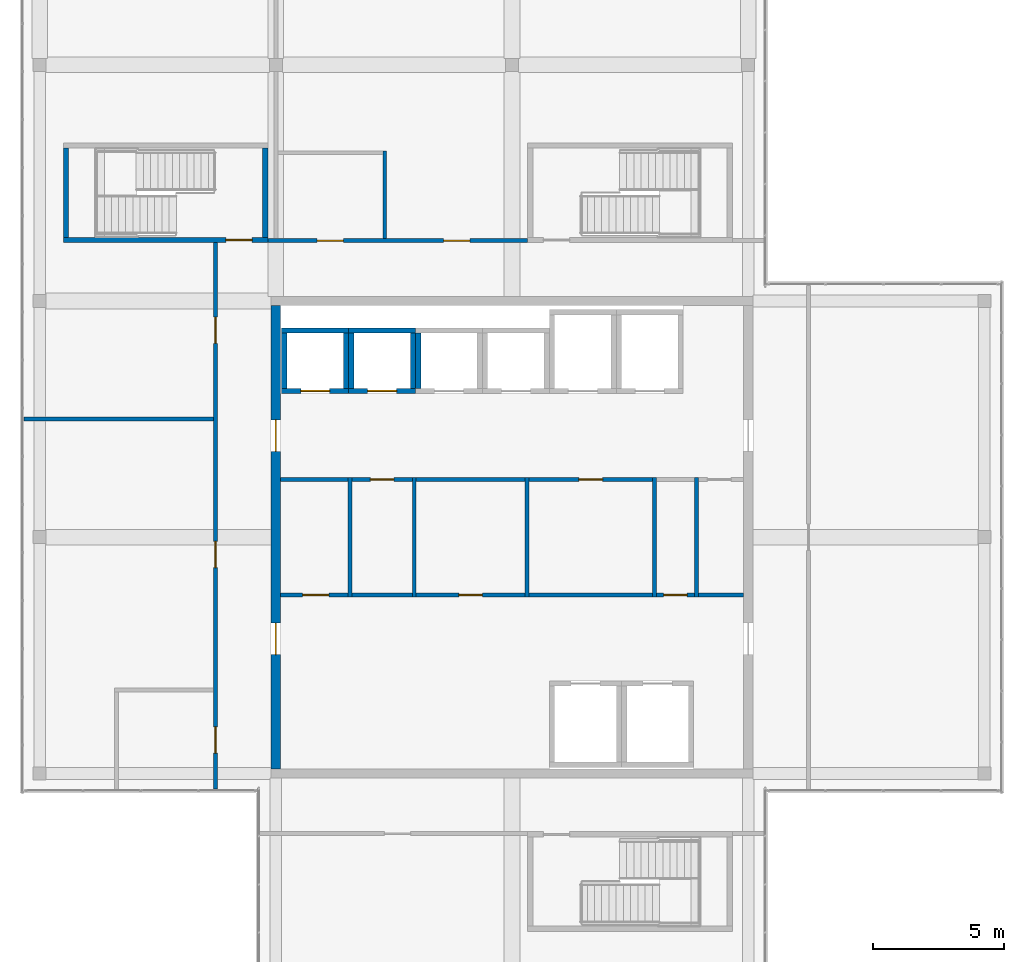
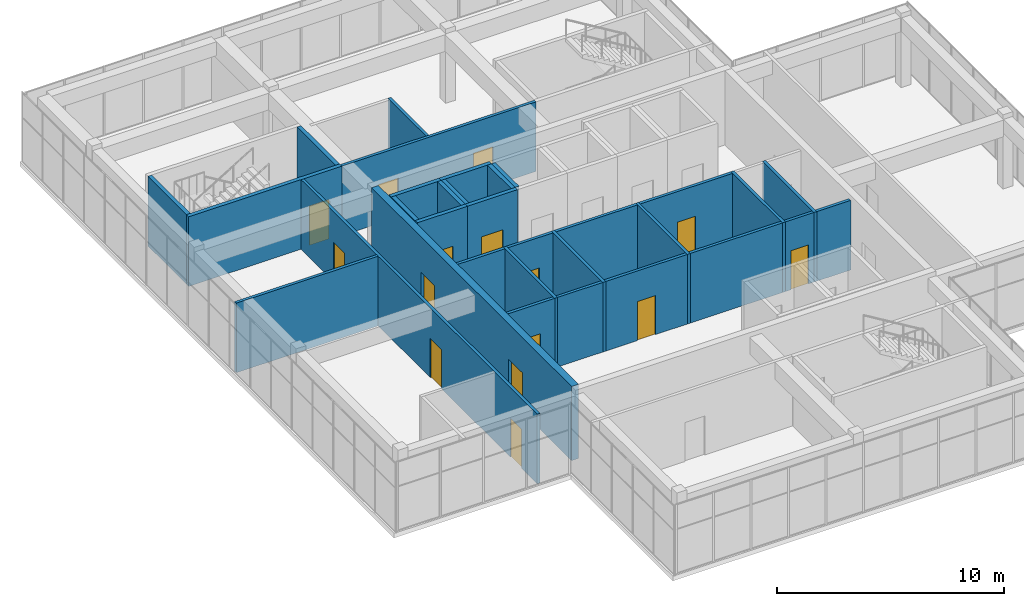
# One storey, part 31 of 34: 32 walls, 15 doors, 15 openings.
"""IFC4 building model written with IfcOpenShell, lengths in metres."""

from ifc_helpers import new_model, si_unit, direction, frame, frame_2d, origin, place, context, subcontext, project, spatial, rectangle, extrude, material, layer, layer_set, type_object, element, fill, save


model = new_model("IFC4")

# Units and contexts
model_context = context("Model", 3, precision=1e-05, world=origin(), true_north=direction((0.0, 1.0)))
body_context = subcontext(model_context, "Body", "Model", "MODEL_VIEW")
ifc_project = project(units=[si_unit("LENGTHUNIT", "METRE"), si_unit("AREAUNIT", "SQUARE_METRE"), si_unit("VOLUMEUNIT", "CUBIC_METRE"), si_unit("PLANEANGLEUNIT", "RADIAN"), si_unit("MASSUNIT", "GRAM", prefix="KILO")], contexts=[model_context])

# Site, building, storey
site_placement = place(None, origin())
site = spatial("IfcSite", under=ifc_project, at=site_placement, CompositionType="ELEMENT")
building_placement = place(site_placement, origin())
building = spatial("IfcBuilding", under=site, at=building_placement, Name="Tuart Plaza Theatre", CompositionType="ELEMENT")
storey_placement = place(building_placement, frame((0.0, 0.0, 57.5)))
storey = spatial("IfcBuildingStorey", under=building, at=storey_placement, Name="L14", CompositionType="ELEMENT", Elevation=57.5)

# Wall
ifc_material_1 = material(Name="Masonry block", Category="masonry")
ifc_layer_1 = layer(ifc_material_1, 0.14990234375)
ifc_layer_set_1 = layer_set([ifc_layer_1], Name="PARTITION BLK150 MASONRYB FRL -/120/120")
wall_type_1 = type_object("IfcWallType", Name="PARTITION BLK150 MASONRYB FRL -/120/120", PredefinedType="PARTITIONING", material=ifc_layer_set_1)
wall_1_placement = place(storey_placement, frame((125.824951171875, 71.72509765625, 0.0), z_axis=(0.0, 0.0, 1.0), x_axis=(0.0, 1.0, 0.0)))
element("IfcWall", 1, at=wall_1_placement, inside=storey, type_object=wall_type_1, Name="P692", PredefinedType="PARTITIONING", context=body_context, shape_type="SweptSolid", body=[
    extrude(rectangle(XDim=4.5498046875, YDim=0.14990234375, at=frame_2d((2.27490234375, 0.0))), origin(), (0.0, 0.0, 1.0), 3.75),
])

# Wall, opening, door
wall_2_placement = place(storey_placement, frame((123.175048828125, 71.800048828125, 0.0), z_axis=(0.0, 0.0, 1.0), x_axis=(1.0, 0.0, 0.0)))
wall_2 = element("IfcWall", 2, at=wall_2_placement, inside=storey, type_object=wall_type_1, Name="P693", PredefinedType="PARTITIONING", context=body_context, shape_type="SweptSolid", body=[
    extrude(rectangle(XDim=2.574951171875, YDim=0.14990234375, at=frame_2d((1.28759765625, 0.0))), origin(), (0.0, 0.0, 1.0), 3.75),
])
opening_1_placement = place(wall_2_placement, frame((0.85009765625, 0.0, 0.0)))
opening_1 = element("IfcOpeningElement", 3, at=opening_1_placement, cuts=wall_2, Name="Opening L14-016", PredefinedType="OPENING", context=body_context, shape_type="SweptSolid", body=[
    extrude(rectangle(XDim=1.0, YDim=2.10009765625, at=frame_2d((0.5, 1.050048828125))), frame((0.0, 0.0849609375, 0.0), z_axis=(0.0, -1.0, 0.0), x_axis=(1.0, 0.0, 0.0)), (0.0, 0.0, 1.0), 0.169921875),
])
ifc_material_2 = material(Name="Steel Grade 300", Category="steel")
door_type_1 = type_object("IfcDoorType", Name="DOOR 1000x2100 steel single swing FRL -/120/30", OperationType="SINGLE_SWING_LEFT", PredefinedType="DOOR", material=ifc_material_2)
door_1_placement = place(opening_1_placement, origin())
door_1 = element("IfcDoor", 4, at=door_1_placement, inside=storey, type_object=door_type_1, Name="L14-016", OperationType="SINGLE_SWING_LEFT", OverallHeight=2.10009765625, OverallWidth=1.0, PredefinedType="DOOR", context=body_context, shape_type="SweptSolid", body=[
    extrude(rectangle(XDim=1.0, YDim=2.10009765625, at=frame_2d((0.5, 1.050048828125))), frame((0.0, 0.02490234375, 0.0), z_axis=(0.0, -1.0, 0.0), x_axis=(1.0, 0.0, 0.0)), (0.0, 0.0, 1.0), 0.050048828125),
])
fill(opening_1, door_1)

# Walls
wall_3_placement = place(storey_placement, frame((123.175048828125, 76.199951171875, 0.0), z_axis=(0.0, 0.0, 1.0), x_axis=(1.0, 0.0, 0.0)))
element("IfcWall", 5, at=wall_3_placement, inside=storey, type_object=wall_type_1, Name="P694", PredefinedType="PARTITIONING", context=body_context, shape_type="SweptSolid", body=[
    extrude(rectangle(XDim=2.574951171875, YDim=0.14990234375, at=frame_2d((1.28759765625, 0.0))), origin(), (0.0, 0.0, 1.0), 3.75),
])
wall_4_placement = place(storey_placement, frame((128.27490234375, 71.72509765625, 0.0), z_axis=(0.0, 0.0, 1.0), x_axis=(0.0, 1.0, 0.0)))
element("IfcWall", 6, at=wall_4_placement, inside=storey, type_object=wall_type_1, Name="P695", PredefinedType="PARTITIONING", context=body_context, shape_type="SweptSolid", body=[
    extrude(rectangle(XDim=4.5498046875, YDim=0.14990234375, at=frame_2d((2.27490234375, 0.0))), origin(), (0.0, 0.0, 1.0), 3.75),
])
wall_5_placement = place(storey_placement, frame((125.89990234375, 71.800048828125, 0.0), z_axis=(0.0, 0.0, 1.0), x_axis=(1.0, 0.0, 0.0)))
element("IfcWall", 7, at=wall_5_placement, inside=storey, type_object=wall_type_1, Name="P696", PredefinedType="PARTITIONING", context=body_context, shape_type="SweptSolid", body=[
    extrude(rectangle(XDim=2.300048828125, YDim=0.14990234375, at=frame_2d((1.14990234375, 0.0))), origin(), (0.0, 0.0, 1.0), 3.75),
])

# Wall, opening, door
wall_6_placement = place(storey_placement, frame((125.89990234375, 76.199951171875, 0.0), z_axis=(0.0, 0.0, 1.0), x_axis=(1.0, 0.0, 0.0)))
wall_6 = element("IfcWall", 8, at=wall_6_placement, inside=storey, type_object=wall_type_1, Name="P697", PredefinedType="PARTITIONING", context=body_context, shape_type="SweptSolid", body=[
    extrude(rectangle(XDim=2.300048828125, YDim=0.14990234375, at=frame_2d((1.14990234375, 0.0))), origin(), (0.0, 0.0, 1.0), 3.75),
])
opening_2_placement = place(wall_6_placement, frame((0.699951171875, 0.0, 0.0)))
opening_2 = element("IfcOpeningElement", 9, at=opening_2_placement, cuts=wall_6, Name="Opening L14-017", PredefinedType="OPENING", context=body_context, shape_type="SweptSolid", body=[
    extrude(rectangle(XDim=0.89990234375, YDim=2.10009765625, at=frame_2d((0.449951171875, 1.050048828125))), frame((0.0, 0.0849609375, 0.0), z_axis=(0.0, -1.0, 0.0), x_axis=(1.0, 0.0, 0.0)), (0.0, 0.0, 1.0), 0.169921875),
])
ifc_material_3 = material(Name="Steel Grade 300", Category="steel")
door_type_2 = type_object("IfcDoorType", Name="DOOR 900x2100 steel single swing FRL -/120/30", OperationType="SINGLE_SWING_LEFT", PredefinedType="DOOR", material=ifc_material_3)
door_2_placement = place(opening_2_placement, frame((0.89990234375, 0.0, 0.0), z_axis=(0.0, 0.0, 1.0), x_axis=(-1.0, 0.0, 0.0)))
door_2 = element("IfcDoor", 10, at=door_2_placement, inside=storey, type_object=door_type_2, Name="L14-017", OperationType="SINGLE_SWING_LEFT", OverallHeight=2.10009765625, OverallWidth=0.89990234375, PredefinedType="DOOR", context=body_context, shape_type="SweptSolid", body=[
    extrude(rectangle(XDim=0.89990234375, YDim=2.10009765625, at=frame_2d((0.449951171875, 1.050048828125))), frame((0.0, 0.02490234375, 0.0), z_axis=(0.0, -1.0, 0.0), x_axis=(1.0, 0.0, 0.0)), (0.0, 0.0, 1.0), 0.050048828125),
])
fill(opening_2, door_2)

# Wall
wall_7_placement = place(storey_placement, frame((132.574951171875, 71.72509765625, 0.0), z_axis=(0.0, 0.0, 1.0), x_axis=(0.0, 1.0, 0.0)))
element("IfcWall", 11, at=wall_7_placement, inside=storey, type_object=wall_type_1, Name="P698", PredefinedType="PARTITIONING", context=body_context, shape_type="SweptSolid", body=[
    extrude(rectangle(XDim=4.5498046875, YDim=0.14990234375, at=frame_2d((2.27490234375, 0.0))), origin(), (0.0, 0.0, 1.0), 3.75),
])

# Wall, opening, door
wall_8_placement = place(storey_placement, frame((128.35009765625, 71.800048828125, 0.0), z_axis=(0.0, 0.0, 1.0), x_axis=(1.0, 0.0, 0.0)))
wall_8 = element("IfcWall", 12, at=wall_8_placement, inside=storey, type_object=wall_type_1, Name="P699", PredefinedType="PARTITIONING", context=body_context, shape_type="SweptSolid", body=[
    extrude(rectangle(XDim=4.14990234375, YDim=0.14990234375, at=frame_2d((2.074951171875, 0.0))), origin(), (0.0, 0.0, 1.0), 3.75),
])
opening_3_placement = place(wall_8_placement, frame((1.625, 0.0, 0.0)))
opening_3 = element("IfcOpeningElement", 13, at=opening_3_placement, cuts=wall_8, Name="Opening L14-018", PredefinedType="OPENING", context=body_context, shape_type="SweptSolid", body=[
    extrude(rectangle(XDim=0.89990234375, YDim=2.10009765625, at=frame_2d((0.449951171875, 1.050048828125))), frame((0.0, 0.0849609375, 0.0), z_axis=(0.0, -1.0, 0.0), x_axis=(1.0, 0.0, 0.0)), (0.0, 0.0, 1.0), 0.169921875),
])
door_3_placement = place(opening_3_placement, origin())
door_3 = element("IfcDoor", 14, at=door_3_placement, inside=storey, type_object=door_type_2, Name="L14-018", OperationType="SINGLE_SWING_RIGHT", OverallHeight=2.10009765625, OverallWidth=0.89990234375, PredefinedType="DOOR", context=body_context, shape_type="SweptSolid", body=[
    extrude(rectangle(XDim=0.89990234375, YDim=2.10009765625, at=frame_2d((0.449951171875, 1.050048828125))), frame((0.0, 0.02490234375, 0.0), z_axis=(0.0, -1.0, 0.0), x_axis=(1.0, 0.0, 0.0)), (0.0, 0.0, 1.0), 0.050048828125),
])
fill(opening_3, door_3)

# Walls
wall_9_placement = place(storey_placement, frame((128.35009765625, 76.199951171875, 0.0), z_axis=(0.0, 0.0, 1.0), x_axis=(1.0, 0.0, 0.0)))
element("IfcWall", 15, at=wall_9_placement, inside=storey, type_object=wall_type_1, Name="P700", PredefinedType="PARTITIONING", context=body_context, shape_type="SweptSolid", body=[
    extrude(rectangle(XDim=4.14990234375, YDim=0.14990234375, at=frame_2d((2.074951171875, 0.0))), origin(), (0.0, 0.0, 1.0), 3.75),
])
wall_10_placement = place(storey_placement, frame((137.425048828125, 71.72509765625, 0.0), z_axis=(0.0, 0.0, 1.0), x_axis=(0.0, 1.0, 0.0)))
element("IfcWall", 16, at=wall_10_placement, inside=storey, type_object=wall_type_1, Name="P701", PredefinedType="PARTITIONING", context=body_context, shape_type="SweptSolid", body=[
    extrude(rectangle(XDim=4.5498046875, YDim=0.14990234375, at=frame_2d((2.27490234375, 0.0))), origin(), (0.0, 0.0, 1.0), 3.75),
])
wall_11_placement = place(storey_placement, frame((132.64990234375, 71.800048828125, 0.0), z_axis=(0.0, 0.0, 1.0), x_axis=(1.0, 0.0, 0.0)))
element("IfcWall", 17, at=wall_11_placement, inside=storey, type_object=wall_type_1, Name="P702", PredefinedType="PARTITIONING", context=body_context, shape_type="SweptSolid", body=[
    extrude(rectangle(XDim=4.7001953125, YDim=0.14990234375, at=frame_2d((2.35009765625, 0.0))), origin(), (0.0, 0.0, 1.0), 3.75),
])

# Wall, opening, door
wall_12_placement = place(storey_placement, frame((132.64990234375, 76.199951171875, 0.0), z_axis=(0.0, 0.0, 1.0), x_axis=(1.0, 0.0, 0.0)))
wall_12 = element("IfcWall", 18, at=wall_12_placement, inside=storey, type_object=wall_type_1, Name="P703", PredefinedType="PARTITIONING", context=body_context, shape_type="SweptSolid", body=[
    extrude(rectangle(XDim=4.7001953125, YDim=0.14990234375, at=frame_2d((2.35009765625, 0.0))), origin(), (0.0, 0.0, 1.0), 3.75),
])
opening_4_placement = place(wall_12_placement, frame((1.89990234375, 0.0, 0.0)))
opening_4 = element("IfcOpeningElement", 19, at=opening_4_placement, cuts=wall_12, Name="Opening L14-019", PredefinedType="OPENING", context=body_context, shape_type="SweptSolid", body=[
    extrude(rectangle(XDim=0.89990234375, YDim=2.10009765625, at=frame_2d((0.449951171875, 1.050048828125))), frame((0.0, 0.0849609375, 0.0), z_axis=(0.0, -1.0, 0.0), x_axis=(1.0, 0.0, 0.0)), (0.0, 0.0, 1.0), 0.169921875),
])
door_4_placement = place(opening_4_placement, frame((0.89990234375, 0.0, 0.0), z_axis=(0.0, 0.0, 1.0), x_axis=(-1.0, 0.0, 0.0)))
door_4 = element("IfcDoor", 20, at=door_4_placement, inside=storey, type_object=door_type_2, Name="L14-019", OperationType="SINGLE_SWING_RIGHT", OverallHeight=2.10009765625, OverallWidth=0.89990234375, PredefinedType="DOOR", context=body_context, shape_type="SweptSolid", body=[
    extrude(rectangle(XDim=0.89990234375, YDim=2.10009765625, at=frame_2d((0.449951171875, 1.050048828125))), frame((0.0, 0.02490234375, 0.0), z_axis=(0.0, -1.0, 0.0), x_axis=(1.0, 0.0, 0.0)), (0.0, 0.0, 1.0), 0.050048828125),
])
fill(opening_4, door_4)

# Wall
wall_13_placement = place(storey_placement, frame((139.02490234375, 71.72509765625, 0.0), z_axis=(0.0, 0.0, 1.0), x_axis=(0.0, 1.0, 0.0)))
element("IfcWall", 21, at=wall_13_placement, inside=storey, type_object=wall_type_1, Name="P704", PredefinedType="PARTITIONING", context=body_context, shape_type="SweptSolid", body=[
    extrude(rectangle(XDim=4.5498046875, YDim=0.14990234375, at=frame_2d((2.27490234375, 0.0))), origin(), (0.0, 0.0, 1.0), 3.75),
])

# Wall, opening, door
wall_14_placement = place(storey_placement, frame((137.5, 71.800048828125, 0.0), z_axis=(0.0, 0.0, 1.0), x_axis=(1.0, 0.0, 0.0)))
wall_14 = element("IfcWall", 22, at=wall_14_placement, inside=storey, type_object=wall_type_1, Name="P705", PredefinedType="PARTITIONING", context=body_context, shape_type="SweptSolid", body=[
    extrude(rectangle(XDim=1.449951171875, YDim=0.14990234375, at=frame_2d((0.72509765625, 0.0))), origin(), (0.0, 0.0, 1.0), 3.75),
])
opening_5_placement = place(wall_14_placement, frame((0.27490234375, 0.0, 0.0)))
opening_5 = element("IfcOpeningElement", 23, at=opening_5_placement, cuts=wall_14, Name="Opening L14-020", PredefinedType="OPENING", context=body_context, shape_type="SweptSolid", body=[
    extrude(rectangle(XDim=0.89990234375, YDim=2.10009765625, at=frame_2d((0.449951171875, 1.050048828125))), frame((0.0, 0.0849609375, 0.0), z_axis=(0.0, -1.0, 0.0), x_axis=(1.0, 0.0, 0.0)), (0.0, 0.0, 1.0), 0.169921875),
])
door_5_placement = place(opening_5_placement, origin())
door_5 = element("IfcDoor", 24, at=door_5_placement, inside=storey, type_object=door_type_2, Name="L14-020", OperationType="SINGLE_SWING_LEFT", OverallHeight=2.10009765625, OverallWidth=0.89990234375, PredefinedType="DOOR", context=body_context, shape_type="SweptSolid", body=[
    extrude(rectangle(XDim=0.89990234375, YDim=2.10009765625, at=frame_2d((0.449951171875, 1.050048828125))), frame((0.0, 0.02490234375, 0.0), z_axis=(0.0, -1.0, 0.0), x_axis=(1.0, 0.0, 0.0)), (0.0, 0.0, 1.0), 0.050048828125),
])
fill(opening_5, door_5)

# Wall
wall_15_placement = place(storey_placement, frame((139.10009765625, 71.800048828125, 0.0), z_axis=(0.0, 0.0, 1.0), x_axis=(1.0, 0.0, 0.0)))
element("IfcWall", 25, at=wall_15_placement, inside=storey, type_object=wall_type_1, Name="P707", PredefinedType="PARTITIONING", context=body_context, shape_type="SweptSolid", body=[
    extrude(rectangle(XDim=1.724853515625, YDim=0.14990234375, at=frame_2d((0.8623046875, 0.0))), origin(), (0.0, 0.0, 1.0), 3.75),
])

# Wall, openings, doors
ifc_material_4 = material(Name="Masonry block", Category="masonry")
ifc_layer_2 = layer(ifc_material_4, 0.14990234375)
ifc_layer_set_2 = layer_set([ifc_layer_2], Name="PARTITION BLK150 MASONRYB FRL 120/-/-")
wall_type_2 = type_object("IfcWallType", Name="PARTITION BLK150 MASONRYB FRL 120/-/-", PredefinedType="PARTITIONING", material=ifc_layer_set_2)
wall_16_placement = place(storey_placement, frame((120.699951171875, 64.39990234375, 0.0), z_axis=(0.0, 0.0, 1.0), x_axis=(0.0, 1.0, 0.0)))
wall_16 = element("IfcWall", 26, at=wall_16_placement, inside=storey, type_object=wall_type_2, Name="P711", PredefinedType="PARTITIONING", context=body_context, shape_type="SweptSolid", body=[
    extrude(rectangle(XDim=20.8251953125, YDim=0.14990234375, at=frame_2d((10.41259765625, 0.0))), origin(), (0.0, 0.0, 1.0), 3.75),
])
opening_6_placement = place(wall_16_placement, frame((1.375, 0.0, 0.0)))
opening_6 = element("IfcOpeningElement", 27, at=opening_6_placement, cuts=wall_16, Name="Opening L14-022", PredefinedType="OPENING", context=body_context, shape_type="SweptSolid", body=[
    extrude(rectangle(XDim=1.0, YDim=2.10009765625, at=frame_2d((0.5, 1.050048828125))), frame((0.0, 0.0849609375, 0.0), z_axis=(0.0, -1.0, 0.0), x_axis=(1.0, 0.0, 0.0)), (0.0, 0.0, 1.0), 0.169921875),
])
opening_7_placement = place(wall_16_placement, frame((8.4375, 0.0, 0.0)))
opening_7 = element("IfcOpeningElement", 28, at=opening_7_placement, cuts=wall_16, Name="Opening L14-025", PredefinedType="OPENING", context=body_context, shape_type="SweptSolid", body=[
    extrude(rectangle(XDim=1.0, YDim=2.10009765625, at=frame_2d((0.5, 1.050048828125))), frame((0.0, 0.0849609375, 0.0), z_axis=(0.0, -1.0, 0.0), x_axis=(1.0, 0.0, 0.0)), (0.0, 0.0, 1.0), 0.169921875),
])
opening_8_placement = place(wall_16_placement, frame((16.985107421875, 0.0, 0.0)))
opening_8 = element("IfcOpeningElement", 29, at=opening_8_placement, cuts=wall_16, Name="Opening L14-027", PredefinedType="OPENING", context=body_context, shape_type="SweptSolid", body=[
    extrude(rectangle(XDim=1.0, YDim=2.10009765625, at=frame_2d((0.5, 1.050048828125))), frame((0.0, 0.0849609375, 0.0), z_axis=(0.0, -1.0, 0.0), x_axis=(1.0, 0.0, 0.0)), (0.0, 0.0, 1.0), 0.169921875),
])
ifc_material_5 = material(Name="Timber", Category="wood")
door_type_3 = type_object("IfcDoorType", Name="DOOR 1000x2100 timber single swing FRL -/60/30", OperationType="SINGLE_SWING_LEFT", PredefinedType="DOOR", material=ifc_material_5)
door_6_placement = place(opening_6_placement, origin())
door_6 = element("IfcDoor", 30, at=door_6_placement, inside=storey, type_object=door_type_3, Name="L14-022", OperationType="SINGLE_SWING_LEFT", OverallHeight=2.10009765625, OverallWidth=1.0, PredefinedType="DOOR", context=body_context, shape_type="SweptSolid", body=[
    extrude(rectangle(XDim=1.0, YDim=2.10009765625, at=frame_2d((0.5, 1.050048828125))), frame((0.0, 0.02490234375, 0.0), z_axis=(0.0, -1.0, 0.0), x_axis=(1.0, 0.0, 0.0)), (0.0, 0.0, 1.0), 0.050048828125),
])
fill(opening_6, door_6)
door_7_placement = place(opening_7_placement, origin())
door_7 = element("IfcDoor", 31, at=door_7_placement, inside=storey, type_object=door_type_3, Name="L14-025", OperationType="SINGLE_SWING_RIGHT", OverallHeight=2.10009765625, OverallWidth=1.0, PredefinedType="DOOR", context=body_context, shape_type="SweptSolid", body=[
    extrude(rectangle(XDim=1.0, YDim=2.10009765625, at=frame_2d((0.5, 1.050048828125))), frame((0.0, 0.02490234375, 0.0), z_axis=(0.0, -1.0, 0.0), x_axis=(1.0, 0.0, 0.0)), (0.0, 0.0, 1.0), 0.050048828125),
])
fill(opening_7, door_7)
door_8_placement = place(opening_8_placement, origin())
door_8 = element("IfcDoor", 32, at=door_8_placement, inside=storey, type_object=door_type_3, Name="L14-027", OperationType="SINGLE_SWING_LEFT", OverallHeight=2.10009765625, OverallWidth=1.0, PredefinedType="DOOR", context=body_context, shape_type="SweptSolid", body=[
    extrude(rectangle(XDim=1.0, YDim=2.10009765625, at=frame_2d((0.5, 1.050048828125))), frame((0.0, 0.02490234375, 0.0), z_axis=(0.0, -1.0, 0.0), x_axis=(1.0, 0.0, 0.0)), (0.0, 0.0, 1.0), 0.050048828125),
])
fill(opening_8, door_8)

wall_17_placement = place(storey_placement, frame((122.699951171875, 85.300048828125, 0.0), z_axis=(0.0, 0.0, 1.0), x_axis=(1.0, 0.0, 0.0)))
wall_17 = element("IfcWall", 33, at=wall_17_placement, inside=storey, type_object=wall_type_2, Name="P713", PredefinedType="PARTITIONING", context=body_context, shape_type="SweptSolid", body=[
    extrude(rectangle(XDim=9.900146484375, YDim=0.14990234375, at=frame_2d((4.9501953125, 0.0))), origin(), (0.0, 0.0, 1.0), 3.75),
])
opening_9_placement = place(wall_17_placement, frame((1.875, 0.0, 0.0)))
opening_9 = element("IfcOpeningElement", 34, at=opening_9_placement, cuts=wall_17, Name="Opening L14-023", PredefinedType="OPENING", context=body_context, shape_type="SweptSolid", body=[
    extrude(rectangle(XDim=1.0, YDim=2.10009765625, at=frame_2d((0.5, 1.050048828125))), frame((0.0, 0.0849609375, 0.0), z_axis=(0.0, -1.0, 0.0), x_axis=(1.0, 0.0, 0.0)), (0.0, 0.0, 1.0), 0.169921875),
])
opening_10_placement = place(wall_17_placement, frame((6.697509765625, 0.0, 0.0)))
opening_10 = element("IfcOpeningElement", 35, at=opening_10_placement, cuts=wall_17, Name="Opening L14-028", PredefinedType="OPENING", context=body_context, shape_type="SweptSolid", body=[
    extrude(rectangle(XDim=1.0, YDim=2.10009765625, at=frame_2d((0.5, 1.050048828125))), frame((0.0, 0.0849609375, 0.0), z_axis=(0.0, -1.0, 0.0), x_axis=(1.0, 0.0, 0.0)), (0.0, 0.0, 1.0), 0.169921875),
])
door_9_placement = place(opening_9_placement, origin())
door_9 = element("IfcDoor", 36, at=door_9_placement, inside=storey, type_object=door_type_3, Name="L14-023", OperationType="SINGLE_SWING_LEFT", OverallHeight=2.10009765625, OverallWidth=1.0, PredefinedType="DOOR", context=body_context, shape_type="SweptSolid", body=[
    extrude(rectangle(XDim=1.0, YDim=2.10009765625, at=frame_2d((0.5, 1.050048828125))), frame((0.0, 0.02490234375, 0.0), z_axis=(0.0, -1.0, 0.0), x_axis=(1.0, 0.0, 0.0)), (0.0, 0.0, 1.0), 0.050048828125),
])
fill(opening_9, door_9)
door_10_placement = place(opening_10_placement, origin())
door_10 = element("IfcDoor", 37, at=door_10_placement, inside=storey, type_object=door_type_3, Name="L14-028", OperationType="SINGLE_SWING_LEFT", OverallHeight=2.10009765625, OverallWidth=1.0, PredefinedType="DOOR", context=body_context, shape_type="SweptSolid", body=[
    extrude(rectangle(XDim=1.0, YDim=2.10009765625, at=frame_2d((0.5, 1.050048828125))), frame((0.0, 0.02490234375, 0.0), z_axis=(0.0, -1.0, 0.0), x_axis=(1.0, 0.0, 0.0)), (0.0, 0.0, 1.0), 0.050048828125),
])
fill(opening_10, door_10)

# Walls
wall_18_placement = place(storey_placement, frame((113.39990234375, 78.5, 0.0), z_axis=(0.0, 0.0, 1.0), x_axis=(1.0, 0.0, 0.0)))
element("IfcWall", 38, at=wall_18_placement, inside=storey, type_object=wall_type_2, Name="P716", PredefinedType="PARTITIONING", context=body_context, shape_type="SweptSolid", body=[
    extrude(rectangle(XDim=7.22607421875, YDim=0.14990234375, at=frame_2d((3.613037109375, 0.0))), origin(), (0.0, 0.0, 1.0), 3.75),
])
wall_19_placement = place(storey_placement, frame((127.14990234375, 85.375, 0.0), z_axis=(0.0, 0.0, 1.0), x_axis=(0.0, 1.0, 0.0)))
element("IfcWall", 39, at=wall_19_placement, inside=storey, type_object=wall_type_2, Name="P720", PredefinedType="PARTITIONING", context=body_context, shape_type="SweptSolid", body=[
    extrude(rectangle(XDim=3.35009765625, YDim=0.14990234375, at=frame_2d((1.675048828125, 0.0))), origin(), (0.0, 0.0, 1.0), 3.75),
])

# Wall, opening, door
ifc_material_6 = material(Name="Concrete N40 (40 MPa)", Category="concrete")
ifc_layer_3 = layer(ifc_material_6, 0.199951171875)
ifc_layer_set_3 = layer_set([ifc_layer_3], Name="SHEAR WALL RC200 FRL 120/120/120")
wall_type_3 = type_object("IfcWallType", Name="SHEAR WALL RC200 FRL 120/120/120", PredefinedType="SHEAR", material=ifc_layer_set_3)
wall_20_placement = place(storey_placement, frame((123.22509765625, 79.574951171875, 0.0), z_axis=(0.0, 0.0, 1.0), x_axis=(1.0, 0.0, 0.0)))
wall_20 = element("IfcWall", 40, at=wall_20_placement, inside=storey, type_object=wall_type_3, Name="W782", PredefinedType="SHEAR", context=body_context, shape_type="SweptSolid", body=[
    extrude(rectangle(XDim=2.5498046875, YDim=0.199951171875, at=frame_2d((1.27490234375, 0.0))), origin(), (0.0, 0.0, 1.0), 4.0),
])
opening_11_placement = place(wall_20_placement, frame((0.72509765625, 0.0, 0.0)))
opening_11 = element("IfcOpeningElement", 41, at=opening_11_placement, cuts=wall_20, Name="Opening L14-001", PredefinedType="OPENING", context=body_context, shape_type="SweptSolid", body=[
    extrude(rectangle(XDim=1.10009765625, YDim=2.10009765625, at=frame_2d((0.550048828125, 1.050048828125))), frame((0.0, 0.10986328125, 0.0), z_axis=(0.0, -1.0, 0.0), x_axis=(1.0, 0.0, 0.0)), (0.0, 0.0, 1.0), 0.219970703125),
])
ifc_material_7 = material(Name="Steel Grade 300", Category="steel")
door_type_4 = type_object("IfcDoorType", Name="LANDING DOOR 1100x2100 steel sliding FRL -/120/30", OperationType="SLIDING_TO_LEFT", PredefinedType="DOOR", material=ifc_material_7)
door_11_placement = place(opening_11_placement, origin())
door_11 = element("IfcDoor", 42, at=door_11_placement, inside=storey, type_object=door_type_4, Name="L14-001", OperationType="SLIDING_TO_LEFT", OverallHeight=2.10009765625, OverallWidth=1.10009765625, PredefinedType="DOOR", context=body_context, shape_type="SweptSolid", body=[
    extrude(rectangle(XDim=1.10009765625, YDim=2.10009765625, at=frame_2d((0.550048828125, 1.050048828125))), frame((0.0, 0.02490234375, 0.0), z_axis=(0.0, -1.0, 0.0), x_axis=(1.0, 0.0, 0.0)), (0.0, 0.0, 1.0), 0.050048828125),
])
fill(opening_11, door_11)

# Walls
wall_21_placement = place(storey_placement, frame((125.675048828125, 79.675048828125, 0.0), z_axis=(0.0, 0.0, 1.0), x_axis=(0.0, 1.0, 0.0)))
element("IfcWall", 43, at=wall_21_placement, inside=storey, type_object=wall_type_3, Name="W783", PredefinedType="SHEAR", context=body_context, shape_type="SweptSolid", body=[
    extrude(rectangle(XDim=2.099853515625, YDim=0.199951171875, at=frame_2d((1.0498046875, 0.0))), origin(), (0.0, 0.0, 1.0), 4.0),
])
wall_22_placement = place(storey_placement, frame((125.77490234375, 81.875, 0.0), z_axis=(0.0, 0.0, 1.0), x_axis=(-1.0, 0.0, 0.0)))
element("IfcWall", 44, at=wall_22_placement, inside=storey, type_object=wall_type_3, Name="W784", PredefinedType="SHEAR", context=body_context, shape_type="SweptSolid", body=[
    extrude(rectangle(XDim=2.5498046875, YDim=0.199951171875, at=frame_2d((1.27490234375, 0.0))), origin(), (0.0, 0.0, 1.0), 4.0),
])
wall_23_placement = place(storey_placement, frame((123.324951171875, 81.77490234375, 0.0), z_axis=(0.0, 0.0, 1.0), x_axis=(0.0, -1.0, 0.0)))
element("IfcWall", 45, at=wall_23_placement, inside=storey, type_object=wall_type_3, Name="W785", PredefinedType="SHEAR", context=body_context, shape_type="SweptSolid", body=[
    extrude(rectangle(XDim=2.099853515625, YDim=0.199951171875, at=frame_2d((1.0498046875, 0.0))), origin(), (0.0, 0.0, 1.0), 4.0),
])

# Wall, opening, door
wall_24_placement = place(storey_placement, frame((125.77490234375, 79.574951171875, 0.0), z_axis=(0.0, 0.0, 1.0), x_axis=(1.0, 0.0, 0.0)))
wall_24 = element("IfcWall", 46, at=wall_24_placement, inside=storey, type_object=wall_type_3, Name="W854", PredefinedType="SHEAR", context=body_context, shape_type="SweptSolid", body=[
    extrude(rectangle(XDim=2.550048828125, YDim=0.199951171875, at=frame_2d((1.27490234375, 0.0))), origin(), (0.0, 0.0, 1.0), 4.0),
])
opening_12_placement = place(wall_24_placement, frame((0.72509765625, 0.0, 0.0)))
opening_12 = element("IfcOpeningElement", 47, at=opening_12_placement, cuts=wall_24, Name="Opening L14-002", PredefinedType="OPENING", context=body_context, shape_type="SweptSolid", body=[
    extrude(rectangle(XDim=1.10009765625, YDim=2.10009765625, at=frame_2d((0.550048828125, 1.050048828125))), frame((0.0, 0.10986328125, 0.0), z_axis=(0.0, -1.0, 0.0), x_axis=(1.0, 0.0, 0.0)), (0.0, 0.0, 1.0), 0.219970703125),
])
door_12_placement = place(opening_12_placement, origin())
door_12 = element("IfcDoor", 48, at=door_12_placement, inside=storey, type_object=door_type_4, Name="L14-002", OperationType="SLIDING_TO_LEFT", OverallHeight=2.10009765625, OverallWidth=1.10009765625, PredefinedType="DOOR", context=body_context, shape_type="SweptSolid", body=[
    extrude(rectangle(XDim=1.10009765625, YDim=2.10009765625, at=frame_2d((0.550048828125, 1.050048828125))), frame((0.0, 0.02490234375, 0.0), z_axis=(0.0, -1.0, 0.0), x_axis=(1.0, 0.0, 0.0)), (0.0, 0.0, 1.0), 0.050048828125),
])
fill(opening_12, door_12)

# Walls
wall_25_placement = place(storey_placement, frame((128.22509765625, 79.675048828125, 0.0), z_axis=(0.0, 0.0, 1.0), x_axis=(0.0, 1.0, 0.0)))
element("IfcWall", 49, at=wall_25_placement, inside=storey, type_object=wall_type_3, Name="W855", PredefinedType="SHEAR", context=body_context, shape_type="SweptSolid", body=[
    extrude(rectangle(XDim=2.099853515625, YDim=0.199951171875, at=frame_2d((1.0498046875, 0.0))), origin(), (0.0, 0.0, 1.0), 4.0),
])
wall_26_placement = place(storey_placement, frame((128.324951171875, 81.875, 0.0), z_axis=(0.0, 0.0, 1.0), x_axis=(-1.0, 0.0, 0.0)))
element("IfcWall", 50, at=wall_26_placement, inside=storey, type_object=wall_type_3, Name="W856", PredefinedType="SHEAR", context=body_context, shape_type="SweptSolid", body=[
    extrude(rectangle(XDim=2.550048828125, YDim=0.199951171875, at=frame_2d((1.27490234375, 0.0))), origin(), (0.0, 0.0, 1.0), 4.0),
])
for number, where, z_axis, x_axis, name in (
    (51, (125.875, 81.77490234375, 0.0), (0.0, 0.0, 1.0), (0.0, -1.0, 0.0), "W857"),
    (52, (128.425048828125, 81.77490234375, 0.0), (0.0, 0.0, 1.0), (0.0, -1.0, 0.0), "W929"),
):
    element("IfcWall", number, at=place(storey_placement, frame(where, z_axis=z_axis, x_axis=x_axis)), inside=storey, type_object=wall_type_3, Name=name, PredefinedType="SHEAR", context=body_context, shape_type="SweptSolid", body=[
        extrude(rectangle(XDim=2.099853515625, YDim=0.199951171875, at=frame_2d((1.0498046875, 0.0))), origin(), (0.0, 0.0, 1.0), 4.0),
    ])

# Wall, opening, door
wall_27_placement = place(storey_placement, frame((114.89990234375, 85.324951171875, 0.0), z_axis=(0.0, 0.0, 1.0), x_axis=(1.0, 0.0, 0.0)))
wall_27 = element("IfcWall", 53, at=wall_27_placement, inside=storey, type_object=wall_type_3, Name="P468", PredefinedType="SHEAR", context=body_context, shape_type="SweptSolid", body=[
    extrude(rectangle(XDim=7.800048828125, YDim=0.199951171875, at=frame_2d((3.89990234375, 0.0))), origin(), (0.0, 0.0, 1.0), 3.75),
])
opening_13_placement = place(wall_27_placement, frame((6.199951171875, 0.0, 0.0)))
opening_13 = element("IfcOpeningElement", 54, at=opening_13_placement, cuts=wall_27, Name="Opening L14-011", PredefinedType="OPENING", context=body_context, shape_type="SweptSolid", body=[
    extrude(rectangle(XDim=1.0, YDim=2.10009765625, at=frame_2d((0.5, 1.050048828125))), frame((0.0, 0.10986328125, 0.0), z_axis=(0.0, -1.0, 0.0), x_axis=(1.0, 0.0, 0.0)), (0.0, 0.0, 1.0), 0.219970703125),
])
door_13_placement = place(opening_13_placement, origin())
door_13 = element("IfcDoor", 55, at=door_13_placement, inside=storey, type_object=door_type_1, Name="L14-011", OperationType="SINGLE_SWING_LEFT", OverallHeight=2.10009765625, OverallWidth=1.0, PredefinedType="DOOR", context=body_context, shape_type="SweptSolid", body=[
    extrude(rectangle(XDim=1.0, YDim=2.10009765625, at=frame_2d((0.5, 1.050048828125))), frame((0.0, 0.02490234375, 0.0), z_axis=(0.0, -1.0, 0.0), x_axis=(1.0, 0.0, 0.0)), (0.0, 0.0, 1.0), 0.050048828125),
])
fill(opening_13, door_13)

# Walls
for number, where, z_axis, x_axis, name in (
    (56, (122.60009765625, 85.425048828125, 0.0), (0.0, 0.0, 1.0), (0.0, 1.0, 0.0), "P469"),
    (57, (115.0, 88.824951171875, 0.0), (0.0, 0.0, 1.0), (0.0, -1.0, 0.0), "P471"),
):
    element("IfcWall", number, at=place(storey_placement, frame(where, z_axis=z_axis, x_axis=x_axis)), inside=storey, type_object=wall_type_3, Name=name, PredefinedType="SHEAR", context=body_context, shape_type="SweptSolid", body=[
        extrude(rectangle(XDim=3.39990234375, YDim=0.199951171875, at=frame_2d((1.699951171875, 0.0))), origin(), (0.0, 0.0, 1.0), 3.75),
    ])

# Wall, openings, doors
ifc_material_8 = material(Name="Concrete N40 (40 MPa)", Category="concrete")
ifc_layer_4 = layer(ifc_material_8, 0.35009765625)
ifc_layer_set_4 = layer_set([ifc_layer_4], Name="SHEAR WALL RC350 FRL 120/120/120")
wall_type_4 = type_object("IfcWallType", Name="SHEAR WALL RC350 FRL 120/120/120", PredefinedType="SHEAR", material=ifc_layer_set_4)
wall_28_placement = place(storey_placement, frame((123.0, 82.824951171875, 0.0), z_axis=(0.0, 0.0, 1.0), x_axis=(0.0, -1.0, 0.0)))
wall_28 = element("IfcWall", 58, at=wall_28_placement, inside=storey, type_object=wall_type_4, Name="W430", PredefinedType="SHEAR", context=body_context, shape_type="SweptSolid", body=[
    extrude(rectangle(XDim=17.64990234375, YDim=0.35009765625, at=frame_2d((8.824951171875, 0.0))), origin(), (0.0, 0.0, 1.0), 4.0),
])
opening_14_placement = place(wall_28_placement, frame((12.10009765625, 0.0, 0.0)))
opening_14 = element("IfcOpeningElement", 59, at=opening_14_placement, cuts=wall_28, Name="Opening L14-012", PredefinedType="OPENING", context=body_context, shape_type="SweptSolid", body=[
    extrude(rectangle(XDim=1.199951171875, YDim=2.10009765625, at=frame_2d((0.60009765625, 1.050048828125))), frame((0.0, 0.18505859375, 0.0), z_axis=(0.0, -1.0, 0.0), x_axis=(1.0, 0.0, 0.0)), (0.0, 0.0, 1.0), 0.3701171875),
])
opening_15_placement = place(wall_28_placement, frame((4.35009765625, 0.0, 0.0)))
opening_15 = element("IfcOpeningElement", 60, at=opening_15_placement, cuts=wall_28, Name="Opening L14-014", PredefinedType="OPENING", context=body_context, shape_type="SweptSolid", body=[
    extrude(rectangle(XDim=1.199951171875, YDim=2.10009765625, at=frame_2d((0.60009765625, 1.050048828125))), frame((0.0, 0.18505859375, 0.0), z_axis=(0.0, -1.0, 0.0), x_axis=(1.0, 0.0, 0.0)), (0.0, 0.0, 1.0), 0.3701171875),
])
ifc_material_9 = material(Name="Steel Grade 300", Category="steel")
door_type_5 = type_object("IfcDoorType", Name="DOOR 1200x2100 steel single swing FRL -/120/30", OperationType="SINGLE_SWING_LEFT", PredefinedType="DOOR", material=ifc_material_9)
door_14_placement = place(opening_14_placement, frame((1.199951171875, 0.0, 0.0), z_axis=(0.0, 0.0, 1.0), x_axis=(-1.0, 0.0, 0.0)))
door_14 = element("IfcDoor", 61, at=door_14_placement, inside=storey, type_object=door_type_5, Name="L14-012", OperationType="SINGLE_SWING_RIGHT", OverallHeight=2.10009765625, OverallWidth=1.199951171875, PredefinedType="DOOR", context=body_context, shape_type="SweptSolid", body=[
    extrude(rectangle(XDim=1.199951171875, YDim=2.10009765625, at=frame_2d((0.60009765625, 1.050048828125))), frame((0.0, 0.02490234375, 0.0), z_axis=(0.0, -1.0, 0.0), x_axis=(1.0, 0.0, 0.0)), (0.0, 0.0, 1.0), 0.050048828125),
])
fill(opening_14, door_14)
door_15_placement = place(opening_15_placement, frame((1.199951171875, 0.0, 0.0), z_axis=(0.0, 0.0, 1.0), x_axis=(-1.0, 0.0, 0.0)))
door_15 = element("IfcDoor", 62, at=door_15_placement, inside=storey, type_object=door_type_5, Name="L14-014", OperationType="SINGLE_SWING_LEFT", OverallHeight=2.10009765625, OverallWidth=1.199951171875, PredefinedType="DOOR", context=body_context, shape_type="SweptSolid", body=[
    extrude(rectangle(XDim=1.199951171875, YDim=2.10009765625, at=frame_2d((0.60009765625, 1.050048828125))), frame((0.0, 0.02490234375, 0.0), z_axis=(0.0, -1.0, 0.0), x_axis=(1.0, 0.0, 0.0)), (0.0, 0.0, 1.0), 0.050048828125),
])
fill(opening_15, door_15)

save(model, "model.ifc")
